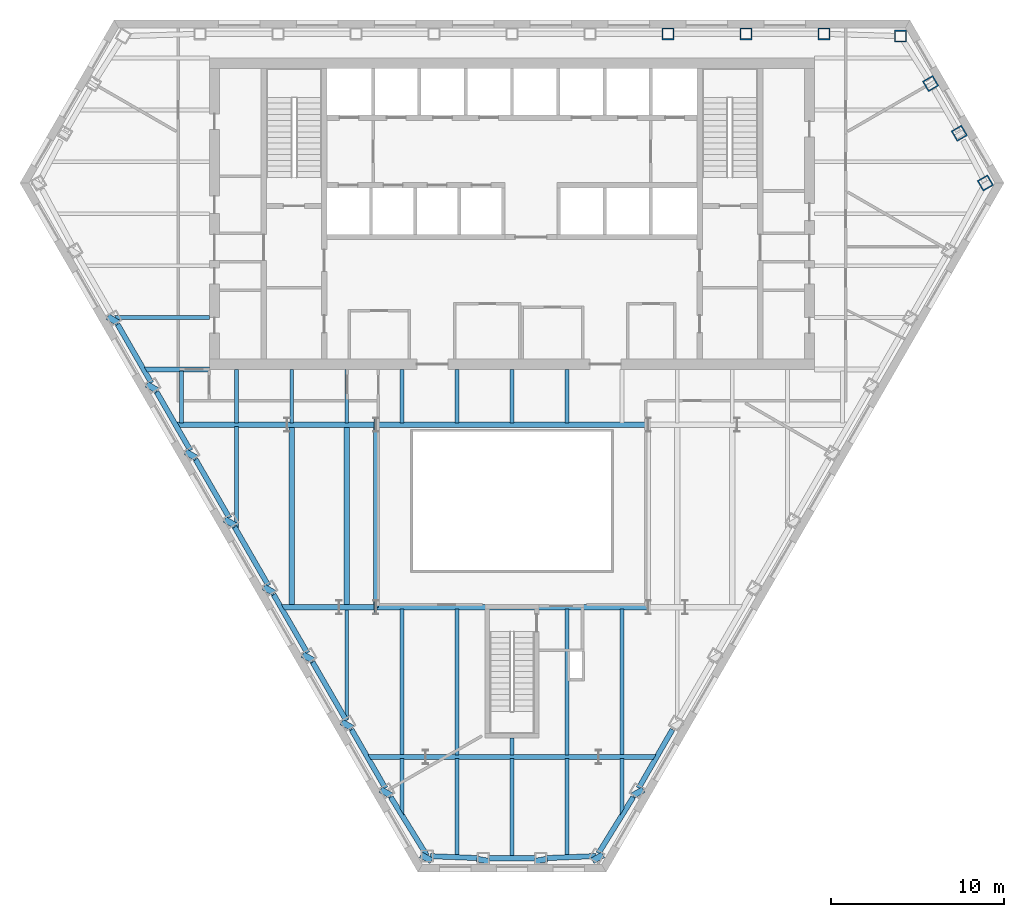
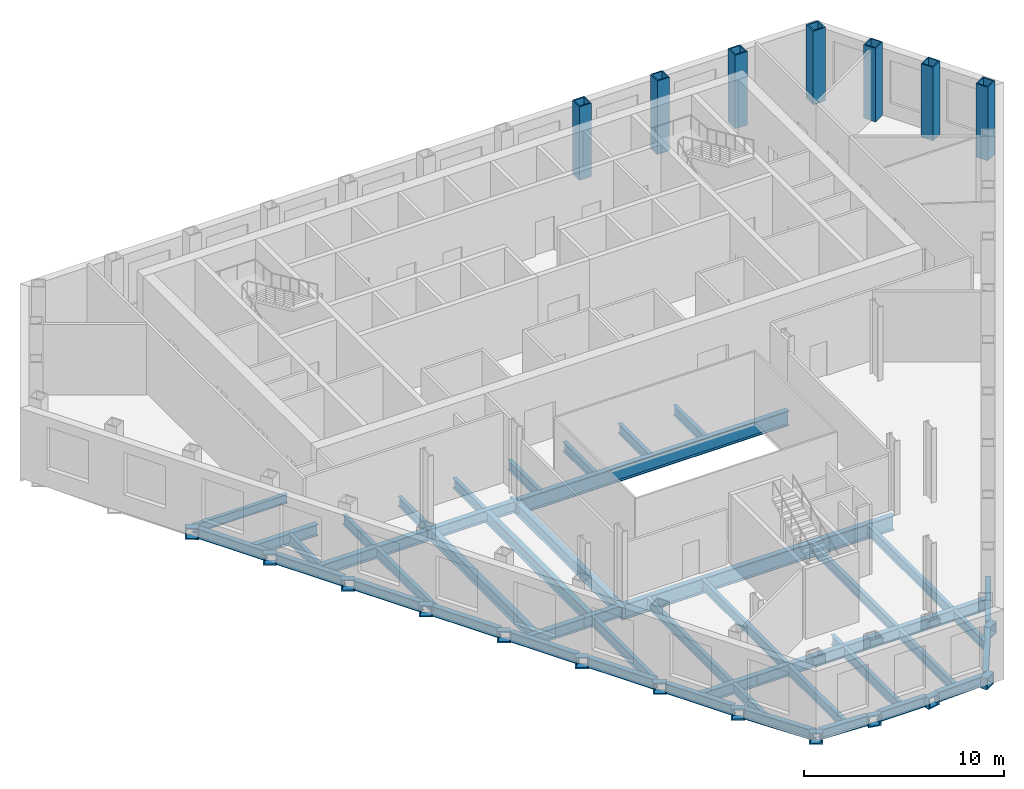
# One storey, part 2 of 11: 62 beams, 7 columns.
"""IFC4 building model written with IfcOpenShell, lengths in metres."""

from ifc_helpers import new_model, si_unit, direction, frame, origin, origin_2d, place, context, subcontext, project, spatial, hollow_rectangle, i_section, extrude, clip, halfspace, material, material_profile, profile_set, type_object, element, save


model = new_model("IFC4")

# Units and contexts
model_context = context("Model", 3, precision=1e-05, world=origin(), true_north=direction((0.0, 1.0)))
body_context = subcontext(model_context, "Body", "Model", "MODEL_VIEW")
ifc_project = project(units=[si_unit("LENGTHUNIT", "METRE"), si_unit("AREAUNIT", "SQUARE_METRE"), si_unit("VOLUMEUNIT", "CUBIC_METRE"), si_unit("PLANEANGLEUNIT", "RADIAN"), si_unit("MASSUNIT", "GRAM", prefix="KILO")], contexts=[model_context])

# Site, building, storey
site_placement = place(None, origin())
site = spatial("IfcSite", under=ifc_project, at=site_placement, CompositionType="ELEMENT")
building_placement = place(site_placement, origin())
building = spatial("IfcBuilding", under=site, at=building_placement, Name="Njiva Tower", CompositionType="ELEMENT")
storey_placement = place(building_placement, frame((0.0, 0.0, 69.3)))
storey = spatial("IfcBuildingStorey", under=building, at=storey_placement, Name="L14", CompositionType="ELEMENT", Elevation=69.3)

# Columns
ifc_material = material(Name="Steel S355 J2", Category="steel")
ifc_material_profile_1 = material_profile(ifc_material, hollow_rectangle(XDim=0.7, YDim=0.7, WallThickness=0.07, at=origin_2d()), Name="BOX 700x700x70")
ifc_profile_set_1 = profile_set([ifc_material_profile_1], Name="Steel S355 J2")
column_type = type_object("IfcColumnType", Name="C5 Perimeter tube column BOX 700x700x70", PredefinedType="COLUMN", material=ifc_profile_set_1)
for number, where, z_axis, x_axis, name in (
    (1, (22.461, 19.267, 0.0), (0.0, 0.0, 1.0), (-1.0, 0.0, 0.0), "Perimeter tube column S05-C01"),
    (2, (18.03, 19.4, 0.0), (0.0, 0.0, 1.0), (-1.0, 0.0, 0.0), "Perimeter tube column S05-C02"),
    (3, (13.523, 19.4, 0.0), (0.0, 0.0, 1.0), (-1.0, 0.0, 0.0), "Perimeter tube column S05-C03"),
    (4, (9.015, 19.4, 0.0), (0.0, 0.0, 1.0), (-1.0, 0.0, 0.0), "Perimeter tube column S05-C04"),
    (5, (27.363, 10.778, 0.0), (0.0, 0.0, 1.0), (-0.5, 0.866025403784, 0.0), "Perimeter tube column S05-C37"),
    (6, (25.857, 13.652, 0.0), (0.0, 0.0, 1.0), (-0.5, 0.866025403784, 0.0), "Perimeter tube column S05-C38"),
    (7, (24.197, 16.526, 0.0), (0.0, 0.0, 1.0), (-0.5, 0.866025403784, 0.0), "Perimeter tube column S05-C39"),
):
    element("IfcColumn", number, at=place(storey_placement, frame(where, z_axis=z_axis, x_axis=x_axis)), inside=storey, type_object=column_type, Name=name, PredefinedType="COLUMN", context=body_context, shape_type="SweptSolid", body=[
        extrude(hollow_rectangle(XDim=0.7, YDim=0.7, WallThickness=0.07, at=origin_2d()), origin(), (0.0, 0.0, 1.0), 4.5),
    ])

# Beams
ifc_material_profile_2 = material_profile(ifc_material, i_section(OverallWidth=0.21, OverallDepth=0.55, WebThickness=0.0111, FlangeThickness=0.0172, at=origin_2d()), Name="IPE 550")
ifc_profile_set_2 = profile_set([ifc_material_profile_2], Name="Steel S355 J2")
beam_type_1 = type_object("IfcBeamType", Name="B10 Floor beam to the core IPE 550", PredefinedType="BEAM", material=ifc_profile_set_2)
beam_1_placement = place(storey_placement, frame((-22.996, 3.0, -0.475), z_axis=(1.0, 0.0, 0.0), x_axis=(0.0, 1.0, 0.0)))
element("IfcBeam", 8, at=beam_1_placement, inside=storey, type_object=beam_type_1, Name="Floor beam to the core S05-B006", PredefinedType="BEAM", context=body_context, shape_type="Clipping", body=[
    clip(extrude(i_section(OverallWidth=0.21, OverallDepth=0.55, WebThickness=0.0111, FlangeThickness=0.0172, at=origin_2d()), origin(), (0.0, 0.0, 1.0), 5.496), halfspace(frame((-0.025, 0.0, 0.0955), z_axis=(-0.499998009787, 0.0, -0.866026552831), x_axis=(0.0, -1.0, 0.0)), False)),
])
ifc_material_profile_3 = material_profile(ifc_material, i_section(OverallWidth=0.3, OverallDepth=0.69, WebThickness=0.0145, FlangeThickness=0.027, at=origin_2d()), Name="HEA 700")
ifc_profile_set_3 = profile_set([ifc_material_profile_3], Name="Steel S355 J2")
beam_type_2 = type_object("IfcBeamType", Name="B12 Long-span floor joist HEA 700", PredefinedType="JOIST", material=ifc_profile_set_3)
for number, where, z_axis, x_axis, name in (
    (9, (-12.733, -3.3, -0.545), (0.0, -1.0, 0.0), (1.0, 0.0, 0.0), "Long-span floor joist S05-B063"),
    (10, (-9.55, -3.3, -0.545), (0.0, -1.0, 0.0), (1.0, 0.0, 0.0), "Long-span floor joist S05-B067"),
):
    element("IfcBeam", number, at=place(storey_placement, frame(where, z_axis=z_axis, x_axis=x_axis)), inside=storey, type_object=beam_type_2, Name=name, PredefinedType="JOIST", context=body_context, shape_type="SweptSolid", body=[
        extrude(i_section(OverallWidth=0.3, OverallDepth=0.69, WebThickness=0.0145, FlangeThickness=0.027, at=origin_2d()), origin(), (0.0, 0.0, 1.0), 10.35),
    ])
ifc_material_profile_4 = material_profile(ifc_material, i_section(OverallWidth=0.22, OverallDepth=0.6, WebThickness=0.012, FlangeThickness=0.019, at=origin_2d()), Name="IPE 600")
ifc_profile_set_4 = profile_set([ifc_material_profile_4], Name="Steel S355 J2")
beam_type_3 = type_object("IfcBeamType", Name="B13 Floor joist IPE 600", PredefinedType="JOIST", material=ifc_profile_set_4)
beam_2_placement = place(storey_placement, frame((-15.917, -3.3, -0.5), z_axis=(0.0, -1.0, 0.0), x_axis=(1.0, 0.0, 0.0)))
element("IfcBeam", 11, at=beam_2_placement, inside=storey, type_object=beam_type_3, Name="Floor joist S05-B061", PredefinedType="JOIST", context=body_context, shape_type="Clipping", body=[
    clip(extrude(i_section(OverallWidth=0.22, OverallDepth=0.6, WebThickness=0.012, FlangeThickness=0.019, at=origin_2d()), origin(), (0.0, 0.0, 1.0), 6.024), halfspace(frame((-0.043, 0.0, 5.7384), z_axis=(-0.866026552831, 0.0, 0.499998009787), x_axis=(0.0, 1.0, 0.0)), False)),
])
beam_3_placement = place(storey_placement, frame((-9.55, -13.85, -0.5), z_axis=(0.0, -1.0, 0.0), x_axis=(1.0, 0.0, 0.0)))
element("IfcBeam", 12, at=beam_3_placement, inside=storey, type_object=beam_type_3, Name="Floor joist S05-B065", PredefinedType="JOIST", context=body_context, shape_type="Clipping", body=[
    clip(extrude(i_section(OverallWidth=0.22, OverallDepth=0.6, WebThickness=0.012, FlangeThickness=0.019, at=origin_2d()), origin(), (0.0, 0.0, 1.0), 6.516), halfspace(frame((0.025, 0.0, 6.4171), z_axis=(0.499998009787, 0.0, 0.866026552831), x_axis=(0.0, 1.0, 0.0)), False)),
])
for number, where, z_axis, x_axis, name in (
    (13, (-6.367, -13.851, -0.5), (0.0, -1.0, 0.0), (1.0, 0.0, 0.0), "Floor joist S05-B070"),
    (14, (-3.183, -13.851, -0.5), (0.0, -1.0, 0.0), (1.0, 0.0, 0.0), "Floor joist S05-B073"),
):
    element("IfcBeam", number, at=place(storey_placement, frame(where, z_axis=z_axis, x_axis=x_axis)), inside=storey, type_object=beam_type_3, Name=name, PredefinedType="JOIST", context=body_context, shape_type="SweptSolid", body=[
        extrude(i_section(OverallWidth=0.22, OverallDepth=0.6, WebThickness=0.012, FlangeThickness=0.019, at=origin_2d()), origin(), (0.0, 0.0, 1.0), 8.449),
    ])
beam_4_placement = place(storey_placement, frame((-3.183, -22.5, -0.5), z_axis=(0.0, -1.0, 0.0), x_axis=(1.0, 0.0, 0.0)))
element("IfcBeam", 15, at=beam_4_placement, inside=storey, type_object=beam_type_3, Name="Floor joist S05-B072", PredefinedType="JOIST", context=body_context, shape_type="SweptSolid", body=[
    extrude(i_section(OverallWidth=0.22, OverallDepth=0.6, WebThickness=0.012, FlangeThickness=0.019, at=origin_2d()), origin(), (0.0, 0.0, 1.0), 5.593),
])
beam_5_placement = place(storey_placement, frame((0.0, -22.5, -0.5), z_axis=(0.0, -1.0, 0.0), x_axis=(1.0, 0.0, 0.0)))
element("IfcBeam", 16, at=beam_5_placement, inside=storey, type_object=beam_type_3, Name="Floor joist S05-B075", PredefinedType="JOIST", context=body_context, shape_type="SweptSolid", body=[
    extrude(i_section(OverallWidth=0.22, OverallDepth=0.6, WebThickness=0.012, FlangeThickness=0.019, at=origin_2d()), origin(), (0.0, 0.0, 1.0), 5.66),
])
beam_6_placement = place(storey_placement, frame((3.183, -13.851, -0.5), z_axis=(0.0, -1.0, 0.0), x_axis=(1.0, 0.0, 0.0)))
element("IfcBeam", 17, at=beam_6_placement, inside=storey, type_object=beam_type_3, Name="Floor joist S05-B079", PredefinedType="JOIST", context=body_context, shape_type="SweptSolid", body=[
    extrude(i_section(OverallWidth=0.22, OverallDepth=0.6, WebThickness=0.012, FlangeThickness=0.019, at=origin_2d()), origin(), (0.0, 0.0, 1.0), 8.449),
])
beam_7_placement = place(storey_placement, frame((3.183, -22.5, -0.5), z_axis=(0.0, -1.0, 0.0), x_axis=(1.0, 0.0, 0.0)))
element("IfcBeam", 18, at=beam_7_placement, inside=storey, type_object=beam_type_3, Name="Floor joist S05-B078", PredefinedType="JOIST", context=body_context, shape_type="SweptSolid", body=[
    extrude(i_section(OverallWidth=0.22, OverallDepth=0.6, WebThickness=0.012, FlangeThickness=0.019, at=origin_2d()), origin(), (0.0, 0.0, 1.0), 5.593),
])
beam_8_placement = place(storey_placement, frame((6.367, -13.851, -0.5), z_axis=(0.0, -1.0, 0.0), x_axis=(1.0, 0.0, 0.0)))
element("IfcBeam", 19, at=beam_8_placement, inside=storey, type_object=beam_type_3, Name="Floor joist S05-B082", PredefinedType="JOIST", context=body_context, shape_type="SweptSolid", body=[
    extrude(i_section(OverallWidth=0.22, OverallDepth=0.6, WebThickness=0.012, FlangeThickness=0.019, at=origin_2d()), origin(), (0.0, 0.0, 1.0), 8.449),
])
ifc_material_profile_5 = material_profile(ifc_material, i_section(OverallWidth=0.22, OverallDepth=0.6, WebThickness=0.012, FlangeThickness=0.019, at=origin_2d()), Name="IPE 600")
ifc_profile_set_5 = profile_set([ifc_material_profile_5], Name="Steel S355 J2")
beam_type_4 = type_object("IfcBeamType", Name="B14 Short-span floor joist IPE 600", PredefinedType="JOIST", material=ifc_profile_set_5)
beam_9_placement = place(storey_placement, frame((-19.1, -0.1, -0.5), z_axis=(0.0, -1.0, 0.0), x_axis=(1.0, 0.0, 0.0)))
element("IfcBeam", 20, at=beam_9_placement, inside=storey, type_object=beam_type_4, Name="Short-span floor joist S05-B060", PredefinedType="JOIST", context=body_context, shape_type="SweptSolid", body=[
    extrude(i_section(OverallWidth=0.22, OverallDepth=0.6, WebThickness=0.012, FlangeThickness=0.019, at=origin_2d()), origin(), (0.0, 0.0, 1.0), 3.0),
])
for number, where, z_axis, x_axis, name in (
    (21, (-15.917, -0.005, -0.5), (0.0, -1.0, 0.0), (1.0, 0.0, 0.0), "Short-span floor joist S05-B062"),
    (22, (-12.733, -0.005, -0.5), (0.0, -1.0, 0.0), (1.0, 0.0, 0.0), "Short-span floor joist S05-B064"),
    (23, (-9.55, -0.005, -0.5), (0.0, -1.0, 0.0), (1.0, 0.0, 0.0), "Short-span floor joist S05-B068"),
):
    element("IfcBeam", number, at=place(storey_placement, frame(where, z_axis=z_axis, x_axis=x_axis)), inside=storey, type_object=beam_type_4, Name=name, PredefinedType="JOIST", context=body_context, shape_type="SweptSolid", body=[
        extrude(i_section(OverallWidth=0.22, OverallDepth=0.6, WebThickness=0.012, FlangeThickness=0.019, at=origin_2d()), origin(), (0.0, 0.0, 1.0), 3.095),
    ])
beam_10_placement = place(storey_placement, frame((-6.367, -0.005, -0.5), z_axis=(0.0, -1.0, 0.0), x_axis=(1.0, 0.0, 0.0)))
element("IfcBeam", 24, at=beam_10_placement, inside=storey, type_object=beam_type_4, Name="Short-span floor joist S05-B071", PredefinedType="JOIST", context=body_context, shape_type="SweptSolid", body=[
    extrude(i_section(OverallWidth=0.22, OverallDepth=0.6, WebThickness=0.012, FlangeThickness=0.019, at=origin_2d()), origin(), (0.0, 0.0, 1.0), 3.094),
])
beam_11_placement = place(storey_placement, frame((-6.367, -22.5, -0.5), z_axis=(0.0, -1.0, 0.0), x_axis=(1.0, 0.0, 0.0)))
element("IfcBeam", 25, at=beam_11_placement, inside=storey, type_object=beam_type_4, Name="Short-span floor joist S05-B069", PredefinedType="JOIST", context=body_context, shape_type="Clipping", body=[
    clip(extrude(i_section(OverallWidth=0.22, OverallDepth=0.6, WebThickness=0.012, FlangeThickness=0.019, at=origin_2d()), origin(), (0.0, 0.0, 1.0), 3.263), halfspace(frame((-0.0422, 0.0, 2.9967), z_axis=(-0.850620428373, 0.0, 0.525780264783), x_axis=(0.0, 1.0, 0.0)), False)),
])
for number, where, z_axis, x_axis, name in (
    (26, (-3.183, -0.005, -0.5), (0.0, -1.0, 0.0), (1.0, 0.0, 0.0), "Short-span floor joist S05-B074"),
    (27, (0.0, -0.005, -0.5), (0.0, -1.0, 0.0), (1.0, 0.0, 0.0), "Short-span floor joist S05-B077"),
):
    element("IfcBeam", number, at=place(storey_placement, frame(where, z_axis=z_axis, x_axis=x_axis)), inside=storey, type_object=beam_type_4, Name=name, PredefinedType="JOIST", context=body_context, shape_type="SweptSolid", body=[
        extrude(i_section(OverallWidth=0.22, OverallDepth=0.6, WebThickness=0.012, FlangeThickness=0.019, at=origin_2d()), origin(), (0.0, 0.0, 1.0), 3.094),
    ])
beam_12_placement = place(storey_placement, frame((0.0, -21.3, -0.5), z_axis=(0.0, -1.0, 0.0), x_axis=(1.0, 0.0, 0.0)))
element("IfcBeam", 28, at=beam_12_placement, inside=storey, type_object=beam_type_4, Name="Short-span floor joist S05-B076", PredefinedType="JOIST", context=body_context, shape_type="SweptSolid", body=[
    extrude(i_section(OverallWidth=0.22, OverallDepth=0.6, WebThickness=0.012, FlangeThickness=0.019, at=origin_2d()), origin(), (0.0, 0.0, 1.0), 1.0),
])
beam_13_placement = place(storey_placement, frame((3.183, -0.005, -0.5), z_axis=(0.0, -1.0, 0.0), x_axis=(1.0, 0.0, 0.0)))
element("IfcBeam", 29, at=beam_13_placement, inside=storey, type_object=beam_type_4, Name="Short-span floor joist S05-B080", PredefinedType="JOIST", context=body_context, shape_type="SweptSolid", body=[
    extrude(i_section(OverallWidth=0.22, OverallDepth=0.6, WebThickness=0.012, FlangeThickness=0.019, at=origin_2d()), origin(), (0.0, 0.0, 1.0), 3.094),
])
beam_14_placement = place(storey_placement, frame((6.367, -22.5, -0.5), z_axis=(0.0, -1.0, 0.0), x_axis=(1.0, 0.0, 0.0)))
element("IfcBeam", 30, at=beam_14_placement, inside=storey, type_object=beam_type_4, Name="Short-span floor joist S05-B081", PredefinedType="JOIST", context=body_context, shape_type="Clipping", body=[
    clip(extrude(i_section(OverallWidth=0.22, OverallDepth=0.6, WebThickness=0.012, FlangeThickness=0.019, at=origin_2d()), origin(), (0.0, 0.0, 1.0), 3.263), halfspace(frame((0.0422, 0.0, 2.9967), z_axis=(0.850620428373, 0.0, 0.525780264783), x_axis=(0.0, 1.0, 0.0)), False)),
])
ifc_material_profile_6 = material_profile(ifc_material, i_section(OverallWidth=0.3, OverallDepth=0.69, WebThickness=0.0145, FlangeThickness=0.027, at=origin_2d()), Name="HEA 700")
ifc_profile_set_6 = profile_set([ifc_material_profile_6], Name="Steel S355 J2")
beam_type_5 = type_object("IfcBeamType", Name="B15 Floor girder HEA 700", PredefinedType="BEAM", material=ifc_profile_set_6)
beam_15_placement = place(storey_placement, frame((-19.438, -3.2, -0.545), z_axis=(1.0, 0.0, 0.0), x_axis=(0.0, 1.0, 0.0)))
element("IfcBeam", 31, at=beam_15_placement, inside=storey, type_object=beam_type_5, Name="Floor girder S05-B016", PredefinedType="BEAM", context=body_context, shape_type="Clipping", body=[
    clip(extrude(i_section(OverallWidth=0.3, OverallDepth=0.69, WebThickness=0.0145, FlangeThickness=0.027, at=origin_2d()), origin(), (0.0, 0.0, 1.0), 6.438), halfspace(frame((-0.025, 0.0, 0.1217), z_axis=(-0.499998009787, 0.0, -0.866026552831), x_axis=(0.0, -1.0, 0.0)), False)),
])
beam_16_placement = place(storey_placement, frame((-13.0, -3.2, -0.545), z_axis=(1.0, 0.0, 0.0), x_axis=(0.0, 1.0, 0.0)))
element("IfcBeam", 32, at=beam_16_placement, inside=storey, type_object=beam_type_5, Name="Floor girder S05-B018", PredefinedType="BEAM", context=body_context, shape_type="SweptSolid", body=[
    extrude(i_section(OverallWidth=0.3, OverallDepth=0.69, WebThickness=0.0145, FlangeThickness=0.027, at=origin_2d()), origin(), (0.0, 0.0, 1.0), 5.13),
])
ifc_material_profile_7 = material_profile(ifc_material, i_section(OverallWidth=0.3, OverallDepth=0.69, WebThickness=0.0145, FlangeThickness=0.027, at=origin_2d()), Name="HEA 700")
ifc_profile_set_7 = profile_set([ifc_material_profile_7], Name="Steel S355 J2")
beam_type_6 = type_object("IfcBeamType", Name="B16 Short-span floor girder HEA 700", PredefinedType="BEAM", material=ifc_profile_set_7)
beam_17_placement = place(storey_placement, frame((-13.347, -13.75, -0.545), z_axis=(1.0, 0.0, 0.0), x_axis=(0.0, 1.0, 0.0)))
element("IfcBeam", 33, at=beam_17_placement, inside=storey, type_object=beam_type_6, Name="Short-span floor girder S05-B017", PredefinedType="BEAM", context=body_context, shape_type="Clipping", body=[
    clip(extrude(i_section(OverallWidth=0.3, OverallDepth=0.69, WebThickness=0.0145, FlangeThickness=0.027, at=origin_2d()), origin(), (0.0, 0.0, 1.0), 3.347), halfspace(frame((-0.025, 0.0, 0.1217), z_axis=(-0.499998009787, 0.0, -0.866026552831), x_axis=(0.0, -1.0, 0.0)), False)),
])
beam_18_placement = place(storey_placement, frame((-10.0, -13.75, -0.545), z_axis=(1.0, 0.0, 0.0), x_axis=(0.0, 1.0, 0.0)))
element("IfcBeam", 34, at=beam_18_placement, inside=storey, type_object=beam_type_6, Name="Short-span floor girder S05-B019", PredefinedType="BEAM", context=body_context, shape_type="SweptSolid", body=[
    extrude(i_section(OverallWidth=0.3, OverallDepth=0.69, WebThickness=0.0145, FlangeThickness=0.027, at=origin_2d()), origin(), (0.0, 0.0, 1.0), 2.13),
])
beam_19_placement = place(storey_placement, frame((-8.353, -22.4, -0.545), z_axis=(1.0, 0.0, 0.0), x_axis=(0.0, 1.0, 0.0)))
element("IfcBeam", 35, at=beam_19_placement, inside=storey, type_object=beam_type_6, Name="Short-span floor girder S05-B020", PredefinedType="BEAM", context=body_context, shape_type="Clipping", body=[
    clip(extrude(i_section(OverallWidth=0.3, OverallDepth=0.69, WebThickness=0.0145, FlangeThickness=0.027, at=origin_2d()), origin(), (0.0, 0.0, 1.0), 3.353), halfspace(frame((-0.025, 0.0, 0.1218), z_axis=(-0.499998009787, 0.0, -0.866026552831), x_axis=(0.0, -1.0, 0.0)), False)),
])
beam_20_placement = place(storey_placement, frame((5.0, -22.4, -0.545), z_axis=(1.0, 0.0, 0.0), x_axis=(0.0, 1.0, 0.0)))
element("IfcBeam", 36, at=beam_20_placement, inside=storey, type_object=beam_type_6, Name="Short-span floor girder S05-B022", PredefinedType="BEAM", context=body_context, shape_type="Clipping", body=[
    clip(extrude(i_section(OverallWidth=0.3, OverallDepth=0.69, WebThickness=0.0145, FlangeThickness=0.027, at=origin_2d()), origin(), (0.0, 0.0, 1.0), 3.353), halfspace(frame((-0.025, 0.0, 3.2312), z_axis=(-0.499998009787, 0.0, 0.866026552831), x_axis=(0.0, 1.0, 0.0)), False)),
])
beam_21_placement = place(storey_placement, frame((-21.285, 0.0, -0.545), z_axis=(1.0, 0.0, 0.0), x_axis=(0.0, 1.0, 0.0)))
element("IfcBeam", 37, at=beam_21_placement, inside=storey, type_object=beam_type_6, Name="Short-span floor girder S05-B015", PredefinedType="BEAM", context=body_context, shape_type="Clipping", body=[
    clip(extrude(i_section(OverallWidth=0.3, OverallDepth=0.69, WebThickness=0.0145, FlangeThickness=0.027, at=origin_2d()), origin(), (0.0, 0.0, 1.0), 3.785), halfspace(frame((-0.025, 0.0, 0.1211), z_axis=(-0.499998009787, 0.0, -0.866026552831), x_axis=(0.0, -1.0, 0.0)), False)),
])
ifc_material_profile_8 = material_profile(ifc_material, i_section(OverallWidth=0.3, OverallDepth=0.69, WebThickness=0.0145, FlangeThickness=0.027, at=origin_2d()), Name="HEA 700")
ifc_profile_set_8 = profile_set([ifc_material_profile_8], Name="Steel S355 J2")
beam_type_7 = type_object("IfcBeamType", Name="B17 Long-span floor girder HEA 700", PredefinedType="BEAM", material=ifc_profile_set_8)
beam_22_placement = place(storey_placement, frame((-5.0, -22.4, -0.545), z_axis=(1.0, 0.0, 0.0), x_axis=(0.0, 1.0, 0.0)))
element("IfcBeam", 38, at=beam_22_placement, inside=storey, type_object=beam_type_7, Name="Long-span floor girder S05-B021", PredefinedType="BEAM", context=body_context, shape_type="SweptSolid", body=[
    extrude(i_section(OverallWidth=0.3, OverallDepth=0.69, WebThickness=0.0145, FlangeThickness=0.027, at=origin_2d()), origin(), (0.0, 0.0, 1.0), 10.0),
])
ifc_material_profile_9 = material_profile(ifc_material, i_section(OverallWidth=0.3, OverallDepth=0.69, WebThickness=0.0145, FlangeThickness=0.027, at=origin_2d()), Name="HEA 700")
ifc_profile_set_9 = profile_set([ifc_material_profile_9], Name="Steel S355 J2")
beam_type_8 = type_object("IfcBeamType", Name="B18 Long-span atrium trimmer beam HEA 700", PredefinedType="BEAM", material=ifc_profile_set_9)
beam_23_placement = place(storey_placement, frame((-7.87, -3.2, -0.545), z_axis=(0.0, -1.0, 0.0), x_axis=(1.0, 0.0, 0.0)))
element("IfcBeam", 39, at=beam_23_placement, inside=storey, type_object=beam_type_8, Name="Long-span atrium trimmer beam S05-B093", PredefinedType="BEAM", context=body_context, shape_type="SweptSolid", body=[
    extrude(i_section(OverallWidth=0.3, OverallDepth=0.69, WebThickness=0.0145, FlangeThickness=0.027, at=origin_2d()), origin(), (0.0, 0.0, 1.0), 10.55),
])
ifc_material_profile_10 = material_profile(ifc_material, hollow_rectangle(XDim=0.7, YDim=0.7, WallThickness=0.08, at=origin_2d()), Name="BOX 700x700x80")
ifc_profile_set_10 = profile_set([ifc_material_profile_10], Name="Steel S355 J2")
beam_type_9 = type_object("IfcBeamType", Name="B19 Column jog beam BOX 700x700x80", PredefinedType="BEAM", material=ifc_profile_set_10)
beam_24_placement = place(storey_placement, frame((-23.159, 2.717, -0.55), z_axis=(0.510343304635, 0.859970761953, 0.0), x_axis=(-0.859970761953, 0.510343304635, 0.0)))
element("IfcBeam", 40, at=beam_24_placement, inside=storey, type_object=beam_type_9, Name="Column jog beam S05-B032", PredefinedType="BEAM", context=body_context, shape_type="SweptSolid", body=[
    extrude(hollow_rectangle(XDim=0.7, YDim=0.7, WallThickness=0.08, at=origin_2d()), origin(), (0.0, 0.0, 1.0), 0.3547),
])
beam_25_placement = place(storey_placement, frame((-20.903, -1.187, -0.55), z_axis=(0.504047080871, 0.863676177896, 0.0), x_axis=(-0.863676177896, 0.504047080871, 0.0)))
element("IfcBeam", 41, at=beam_25_placement, inside=storey, type_object=beam_type_9, Name="Column jog beam S05-B033", PredefinedType="BEAM", context=body_context, shape_type="SweptSolid", body=[
    extrude(hollow_rectangle(XDim=0.7, YDim=0.7, WallThickness=0.08, at=origin_2d()), origin(), (0.0, 0.0, 1.0), 0.3531),
])
for number, where, z_axis, x_axis, name in (
    (42, (-18.649, -5.092, -0.55), (0.501591568535, 0.865104559215, 0.0), (-0.865104559215, 0.501591568535, 0.0), "Column jog beam S05-B034"),
    (43, (-16.395, -8.996, -0.55), (0.501591568535, 0.865104559215, 0.0), (-0.865104559215, 0.501591568535, 0.0), "Column jog beam S05-B035"),
):
    element("IfcBeam", number, at=place(storey_placement, frame(where, z_axis=z_axis, x_axis=x_axis)), inside=storey, type_object=beam_type_9, Name=name, PredefinedType="BEAM", context=body_context, shape_type="SweptSolid", body=[
        extrude(hollow_rectangle(XDim=0.7, YDim=0.7, WallThickness=0.08, at=origin_2d()), origin(), (0.0, 0.0, 1.0), 0.3549),
    ])
beam_26_placement = place(storey_placement, frame((-14.14, -12.901, -0.55), z_axis=(0.498259552762, 0.86702792232, 0.0), x_axis=(-0.86702792232, 0.498259552762, 0.0)))
element("IfcBeam", 44, at=beam_26_placement, inside=storey, type_object=beam_type_9, Name="Column jog beam S05-B036", PredefinedType="BEAM", context=body_context, shape_type="SweptSolid", body=[
    extrude(hollow_rectangle(XDim=0.7, YDim=0.7, WallThickness=0.08, at=origin_2d()), origin(), (0.0, 0.0, 1.0), 0.3552),
])
for number, where, z_axis, x_axis, name in (
    (45, (-11.885, -16.806, -0.55), (0.489459706802, 0.872025914418, 0.0), (-0.872025914418, 0.489459706802, 0.0), "Column jog beam S05-B037"),
    (46, (-9.631, -20.71, -0.55), (0.489459706802, 0.872025914418, 0.0), (-0.872025914418, 0.489459706802, 0.0), "Column jog beam S05-B038"),
):
    element("IfcBeam", number, at=place(storey_placement, frame(where, z_axis=z_axis, x_axis=x_axis)), inside=storey, type_object=beam_type_9, Name=name, PredefinedType="BEAM", context=body_context, shape_type="SweptSolid", body=[
        extrude(hollow_rectangle(XDim=0.7, YDim=0.7, WallThickness=0.08, at=origin_2d()), origin(), (0.0, 0.0, 1.0), 0.3555),
    ])
beam_27_placement = place(storey_placement, frame((-7.376, -24.615, -0.55), z_axis=(0.486120018843, 0.873892056996, 0.0), x_axis=(-0.873892056996, 0.486120018843, 0.0)))
element("IfcBeam", 47, at=beam_27_placement, inside=storey, type_object=beam_type_9, Name="Column jog beam S05-B041", PredefinedType="BEAM", context=body_context, shape_type="SweptSolid", body=[
    extrude(hollow_rectangle(XDim=0.7, YDim=0.7, WallThickness=0.08, at=origin_2d()), origin(), (0.0, 0.0, 1.0), 0.3559),
])
beam_28_placement = place(storey_placement, frame((-5.045, -28.387, -0.55), z_axis=(0.482561085587, 0.875862317192, 0.0), x_axis=(-0.875862317192, 0.482561085587, 0.0)))
element("IfcBeam", 48, at=beam_28_placement, inside=storey, type_object=beam_type_9, Name="Column jog beam S05-B042", PredefinedType="BEAM", context=body_context, shape_type="SweptSolid", body=[
    extrude(hollow_rectangle(XDim=0.7, YDim=0.7, WallThickness=0.08, at=origin_2d()), origin(), (0.0, 0.0, 1.0), 0.3585),
])
for number, where, z_axis, x_axis, name in (
    (49, (-1.709, -28.526, -0.55), (0.18447112005, 0.982837934691, 0.0), (-0.982837934691, 0.18447112005, 0.0), "Column jog beam S05-B043"),
    (50, (1.709, -28.526, -0.55), (-0.18447112005, 0.982837934691, 0.0), (-0.982837934691, -0.18447112005, 0.0), "Column jog beam S05-B044"),
):
    element("IfcBeam", number, at=place(storey_placement, frame(where, z_axis=z_axis, x_axis=x_axis)), inside=storey, type_object=beam_type_9, Name=name, PredefinedType="BEAM", context=body_context, shape_type="SweptSolid", body=[
        extrude(hollow_rectangle(XDim=0.7, YDim=0.7, WallThickness=0.08, at=origin_2d()), origin(), (0.0, 0.0, 1.0), 0.3307),
    ])
beam_29_placement = place(storey_placement, frame((5.045, -28.387, -0.55), z_axis=(-0.482561085587, 0.875862317192, 0.0), x_axis=(-0.875862317192, -0.482561085587, 0.0)))
element("IfcBeam", 51, at=beam_29_placement, inside=storey, type_object=beam_type_9, Name="Column jog beam S05-B045", PredefinedType="BEAM", context=body_context, shape_type="SweptSolid", body=[
    extrude(hollow_rectangle(XDim=0.7, YDim=0.7, WallThickness=0.08, at=origin_2d()), origin(), (0.0, 0.0, 1.0), 0.3585),
])
beam_30_placement = place(storey_placement, frame((7.376, -24.615, -0.55), z_axis=(-0.486120018843, 0.873892056996, 0.0), x_axis=(-0.873892056996, -0.486120018843, 0.0)))
element("IfcBeam", 52, at=beam_30_placement, inside=storey, type_object=beam_type_9, Name="Column jog beam S05-B046", PredefinedType="BEAM", context=body_context, shape_type="SweptSolid", body=[
    extrude(hollow_rectangle(XDim=0.7, YDim=0.7, WallThickness=0.08, at=origin_2d()), origin(), (0.0, 0.0, 1.0), 0.3559),
])
for number, where, z_axis, x_axis, name in (
    (53, (-7.99, -3.2, -0.55), (1.0, 0.0, 0.0), (0.0, 1.0, 0.0), "Column jog beam S05-B040"),
    (54, (-7.99, -13.75, -0.55), (1.0, 0.0, 0.0), (0.0, 1.0, 0.0), "Column jog beam S05-B039"),
):
    element("IfcBeam", number, at=place(storey_placement, frame(where, z_axis=z_axis, x_axis=x_axis)), inside=storey, type_object=beam_type_9, Name=name, PredefinedType="BEAM", context=body_context, shape_type="SweptSolid", body=[
        extrude(hollow_rectangle(XDim=0.7, YDim=0.7, WallThickness=0.08, at=origin_2d()), origin(), (0.0, 0.0, 1.0), 0.18),
    ])
ifc_material_profile_11 = material_profile(ifc_material, i_section(OverallWidth=0.3, OverallDepth=0.6, WebThickness=0.0155, FlangeThickness=0.03, at=origin_2d()), Name="HEB 600")
ifc_profile_set_11 = profile_set([ifc_material_profile_11], Name="Steel S355 J2")
beam_type_10 = type_object("IfcBeamType", Name="B3 Short-span spandrel beam HEB 600", PredefinedType="SPANDREL", material=ifc_profile_set_11)
for number, where, z_axis, x_axis, name in (
    (55, (-22.801, 2.611, -0.5), (0.499936548189, -0.866062034606, 0.0), (0.866062034606, 0.499936548189, 0.0), "Short-span spandrel beam S05-B110"),
    (56, (-20.547, -1.293, -0.5), (0.499936548189, -0.866062034606, 0.0), (0.866062034606, 0.499936548189, 0.0), "Short-span spandrel beam S05-B114"),
):
    element("IfcBeam", number, at=place(storey_placement, frame(where, z_axis=z_axis, x_axis=x_axis)), inside=storey, type_object=beam_type_10, Name=name, PredefinedType="SPANDREL", context=body_context, shape_type="SweptSolid", body=[
        extrude(i_section(OverallWidth=0.3, OverallDepth=0.6, WebThickness=0.0155, FlangeThickness=0.03, at=origin_2d()), origin(), (0.0, 0.0, 1.0), 3.9085),
    ])
beam_31_placement = place(storey_placement, frame((-18.293, -5.198, -0.5), z_axis=(0.500047346826, -0.865998066356, 0.0), x_axis=(0.865998066356, 0.500047346826, 0.0)))
element("IfcBeam", 57, at=beam_31_placement, inside=storey, type_object=beam_type_10, Name="Short-span spandrel beam S05-B116", PredefinedType="SPANDREL", context=body_context, shape_type="SweptSolid", body=[
    extrude(i_section(OverallWidth=0.3, OverallDepth=0.6, WebThickness=0.0155, FlangeThickness=0.03, at=origin_2d()), origin(), (0.0, 0.0, 1.0), 3.9076),
])
beam_32_placement = place(storey_placement, frame((-16.039, -9.102, -0.5), z_axis=(0.500017645376, -0.866015215982, 0.0), x_axis=(0.866015215982, 0.500017645376, 0.0)))
element("IfcBeam", 58, at=beam_32_placement, inside=storey, type_object=beam_type_10, Name="Short-span spandrel beam S05-B120", PredefinedType="SPANDREL", context=body_context, shape_type="SweptSolid", body=[
    extrude(i_section(OverallWidth=0.3, OverallDepth=0.6, WebThickness=0.0155, FlangeThickness=0.03, at=origin_2d()), origin(), (0.0, 0.0, 1.0), 3.9099),
])
beam_33_placement = place(storey_placement, frame((-13.784, -13.007, -0.5), z_axis=(0.499936548189, -0.866062034606, 0.0), x_axis=(0.866062034606, 0.499936548189, 0.0)))
element("IfcBeam", 59, at=beam_33_placement, inside=storey, type_object=beam_type_10, Name="Short-span spandrel beam S05-B122", PredefinedType="SPANDREL", context=body_context, shape_type="SweptSolid", body=[
    extrude(i_section(OverallWidth=0.3, OverallDepth=0.6, WebThickness=0.0155, FlangeThickness=0.03, at=origin_2d()), origin(), (0.0, 0.0, 1.0), 3.9085),
])
beam_34_placement = place(storey_placement, frame((-11.53, -16.912, -0.5), z_axis=(0.500047346826, -0.865998066356, 0.0), x_axis=(0.865998066356, 0.500047346826, 0.0)))
element("IfcBeam", 60, at=beam_34_placement, inside=storey, type_object=beam_type_10, Name="Short-span spandrel beam S05-B126", PredefinedType="SPANDREL", context=body_context, shape_type="SweptSolid", body=[
    extrude(i_section(OverallWidth=0.3, OverallDepth=0.6, WebThickness=0.0155, FlangeThickness=0.03, at=origin_2d()), origin(), (0.0, 0.0, 1.0), 3.9076),
])
beam_35_placement = place(storey_placement, frame((-9.276, -20.816, -0.5), z_axis=(0.500017645376, -0.866015215982, 0.0), x_axis=(0.866015215982, 0.500017645376, 0.0)))
element("IfcBeam", 61, at=beam_35_placement, inside=storey, type_object=beam_type_10, Name="Short-span spandrel beam S05-B128", PredefinedType="SPANDREL", context=body_context, shape_type="SweptSolid", body=[
    extrude(i_section(OverallWidth=0.3, OverallDepth=0.6, WebThickness=0.0155, FlangeThickness=0.03, at=origin_2d()), origin(), (0.0, 0.0, 1.0), 3.9099),
])
beam_36_placement = place(storey_placement, frame((-7.008, -24.718, -0.5), z_axis=(0.525842343213, -0.850582053705, 0.0), x_axis=(0.850582053705, 0.525842343213, 0.0)))
element("IfcBeam", 62, at=beam_36_placement, inside=storey, type_object=beam_type_10, Name="Short-span spandrel beam S05-B131", PredefinedType="SPANDREL", context=body_context, shape_type="Clipping", body=[
    clip(extrude(i_section(OverallWidth=0.3, OverallDepth=0.6, WebThickness=0.0155, FlangeThickness=0.03, at=origin_2d()), origin(), (0.0, 0.0, 1.0), 4.0115), halfspace(frame((-0.0266, 0.0, 3.882), z_axis=(-0.525842343213, 0.0, 0.850582053705), x_axis=(0.0, 1.0, 0.0)), False)),
])
beam_37_placement = place(storey_placement, frame((-4.711, -28.134, -0.5), z_axis=(0.999161599525, -0.040940176282, 0.0), x_axis=(0.040940176282, 0.999161599525, 0.0)))
element("IfcBeam", 63, at=beam_37_placement, inside=storey, type_object=beam_type_10, Name="Short-span spandrel beam S05-B132", PredefinedType="SPANDREL", context=body_context, shape_type="SweptSolid", body=[
    extrude(i_section(OverallWidth=0.3, OverallDepth=0.6, WebThickness=0.0155, FlangeThickness=0.03, at=origin_2d()), origin(), (0.0, 0.0, 1.0), 2.7113),
])
beam_38_placement = place(storey_placement, frame((-1.398, -28.26, -0.5), z_axis=(1.0, 0.0, 0.0), x_axis=(0.0, 1.0, 0.0)))
element("IfcBeam", 64, at=beam_38_placement, inside=storey, type_object=beam_type_10, Name="Short-span spandrel beam S05-B135", PredefinedType="SPANDREL", context=body_context, shape_type="SweptSolid", body=[
    extrude(i_section(OverallWidth=0.3, OverallDepth=0.6, WebThickness=0.0155, FlangeThickness=0.03, at=origin_2d()), origin(), (0.0, 0.0, 1.0), 2.796),
])
beam_39_placement = place(storey_placement, frame((2.002, -28.245, -0.5), z_axis=(0.999163272654, 0.040899322471, 0.0), x_axis=(-0.040899322471, 0.999163272654, 0.0)))
element("IfcBeam", 65, at=beam_39_placement, inside=storey, type_object=beam_type_10, Name="Short-span spandrel beam S05-B139", PredefinedType="SPANDREL", context=body_context, shape_type="Clipping", body=[
    clip(extrude(i_section(OverallWidth=0.3, OverallDepth=0.6, WebThickness=0.0155, FlangeThickness=0.03, at=origin_2d()), origin(), (0.0, 0.0, 1.0), 2.9023), halfspace(frame((-0.0268, 0.0, 2.7701), z_axis=(-0.534999547032, 0.0, 0.844852344895), x_axis=(0.0, 1.0, 0.0)), False)),
])
beam_40_placement = place(storey_placement, frame((4.997, -27.972, -0.5), z_axis=(0.525715487097, 0.850660464949, 0.0), x_axis=(-0.850660464949, 0.525715487097, 0.0)))
element("IfcBeam", 66, at=beam_40_placement, inside=storey, type_object=beam_type_10, Name="Short-span spandrel beam S05-B141", PredefinedType="SPANDREL", context=body_context, shape_type="SweptSolid", body=[
    extrude(i_section(OverallWidth=0.3, OverallDepth=0.6, WebThickness=0.0155, FlangeThickness=0.03, at=origin_2d()), origin(), (0.0, 0.0, 1.0), 3.8253),
])
beam_41_placement = place(storey_placement, frame((7.321, -24.202, -0.5), z_axis=(0.500017645376, 0.866015215982, 0.0), x_axis=(-0.866015215982, 0.500017645376, 0.0)))
element("IfcBeam", 67, at=beam_41_placement, inside=storey, type_object=beam_type_10, Name="Short-span spandrel beam S05-B143", PredefinedType="SPANDREL", context=body_context, shape_type="SweptSolid", body=[
    extrude(i_section(OverallWidth=0.3, OverallDepth=0.6, WebThickness=0.0155, FlangeThickness=0.03, at=origin_2d()), origin(), (0.0, 0.0, 1.0), 3.9099),
])
ifc_material_profile_12 = material_profile(ifc_material, i_section(OverallWidth=0.302, OverallDepth=0.91, WebThickness=0.021, FlangeThickness=0.04, at=origin_2d()), Name="HEM 900")
ifc_profile_set_12 = profile_set([ifc_material_profile_12], Name="Steel S355 J2")
beam_type_11 = type_object("IfcBeamType", Name="B8 Long-span atrium trimmer beam HEM 900", PredefinedType="BEAM", material=ifc_profile_set_12)
for number, where, z_axis, x_axis, name in (
    (68, (-7.87, -13.75, -0.655), (1.0, 0.0, 0.0), (0.0, 1.0, 0.0), "Long-span atrium trimmer beam S05-B094"),
    (69, (7.87, -3.2, -0.655), (-1.0, 0.0, 0.0), (0.0, -1.0, 0.0), "Long-span atrium trimmer beam S05-B096"),
):
    element("IfcBeam", number, at=place(storey_placement, frame(where, z_axis=z_axis, x_axis=x_axis)), inside=storey, type_object=beam_type_11, Name=name, PredefinedType="BEAM", context=body_context, shape_type="SweptSolid", body=[
        extrude(i_section(OverallWidth=0.302, OverallDepth=0.91, WebThickness=0.021, FlangeThickness=0.04, at=origin_2d()), origin(), (0.0, 0.0, 1.0), 15.74),
    ])

save(model, "model.ifc")
